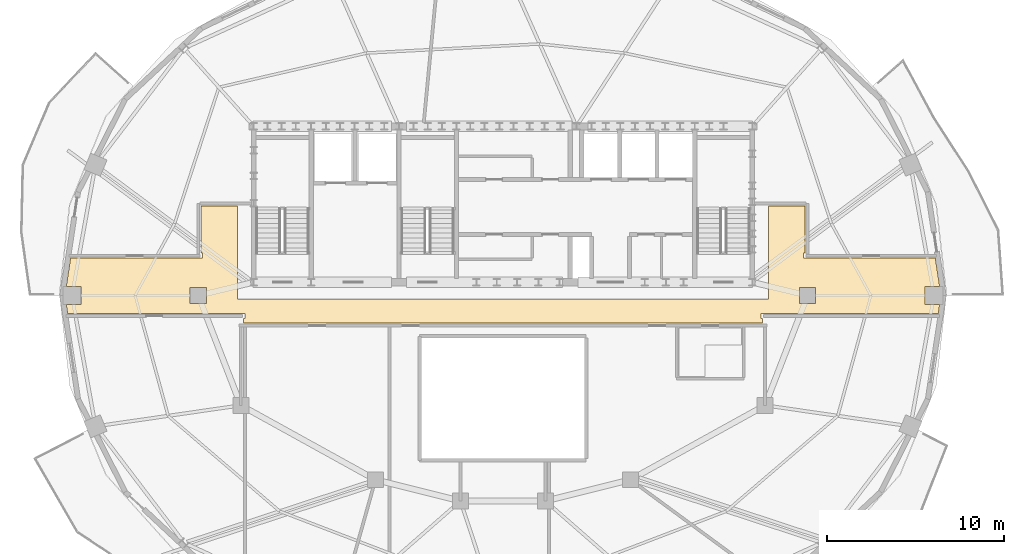
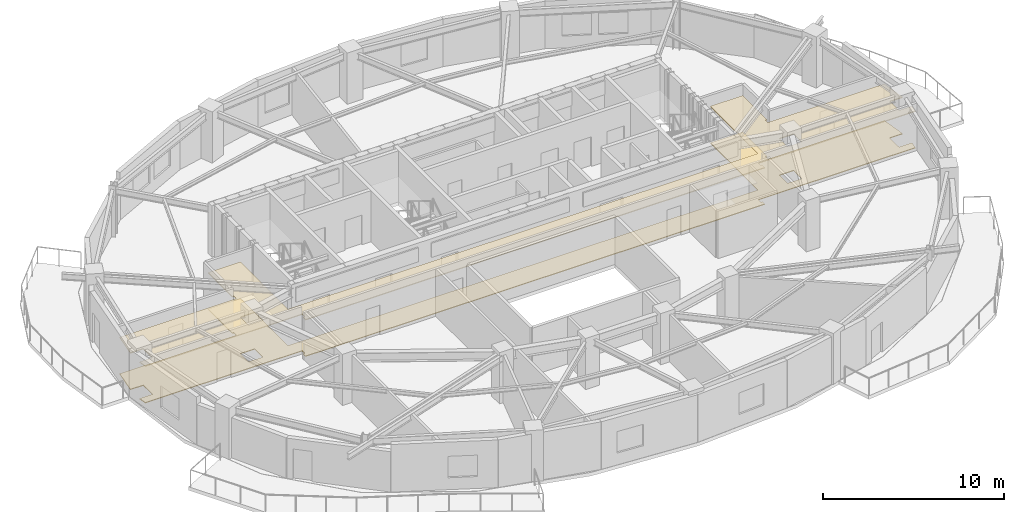
# One storey, part 8 of 10: 2 coverings.
"""IFC4 building model written with IfcOpenShell, lengths in metres."""

from ifc_helpers import new_model, si_unit, direction, frame, origin, place, context, subcontext, project, spatial, polyline, outline, extrude, material, layer, layer_set, type_object, element, save


model = new_model("IFC4")

# Units and contexts
model_context = context("Model", 3, precision=1e-05, world=origin(), true_north=direction((0.0, 1.0)))
body_context = subcontext(model_context, "Body", "Model", "MODEL_VIEW")
ifc_project = project(units=[si_unit("LENGTHUNIT", "METRE"), si_unit("AREAUNIT", "SQUARE_METRE"), si_unit("VOLUMEUNIT", "CUBIC_METRE"), si_unit("PLANEANGLEUNIT", "RADIAN"), si_unit("MASSUNIT", "GRAM", prefix="KILO")], contexts=[model_context])

# Site, building, storey
site_placement = place(None, origin())
site = spatial("IfcSite", under=ifc_project, at=site_placement, CompositionType="ELEMENT")
building_placement = place(site_placement, origin())
building = spatial("IfcBuilding", under=site, at=building_placement, Name="Haldorwick Loom Tower", CompositionType="ELEMENT")
storey_placement = place(building_placement, frame((0.0, 0.0, 262.64990234375)))
storey = spatial("IfcBuildingStorey", under=building, at=storey_placement, Name="L71", CompositionType="ELEMENT", Elevation=262.64990234375)

# Coverings
ifc_material_1 = material(Name="Mineral Fibre Acoustic Ceiling Tile")
ifc_layer_1 = layer(ifc_material_1, 0.054931640625, Name="Mineral Fibre Acoustic Ceiling Tile")
ifc_layer_set_1 = layer_set([ifc_layer_1], Name="Mineral Fibre Acoustic Ceiling Tile")
covering_type_1 = type_object("IfcCoveringType", Name="ARC-COV-CEIL2", PredefinedType="CEILING", material=ifc_layer_set_1)
covering_1_placement = place(storey_placement, frame((0.0, 0.0, 2.458984375)))
element("IfcCovering", 1, at=covering_1_placement, inside=storey, type_object=covering_type_1, Name="L71 Acoustic Suspended Ceiling 1", PredefinedType="CEILING", context=body_context, shape_type="SweptSolid", body=[
    extrude(outline(polyline([(11.423583984375, 24.989990234375), (21.419921875, 24.989990234375), (21.422119140625, 24.989990234375), (21.423828125, 24.989501953125), (21.42578125, 24.989013671875), (21.427734375, 24.988525390625), (21.429443359375, 24.987548828125), (21.43115234375, 24.986572265625), (21.4326171875, 24.985595703125), (21.43408203125, 24.984130859375), (21.435546875, 24.982666015625), (21.4365234375, 24.981201171875), (21.4375, 24.9794921875), (21.4384765625, 24.977783203125), (21.439208984375, 24.975830078125), (21.439697265625, 24.973876953125), (21.43994140625, 24.971923828125), (21.43994140625, 24.969970703125), (21.43994140625, 24.72998046875), (21.43994140625, 24.72802734375), (21.439697265625, 24.72607421875), (21.439208984375, 24.72412109375), (21.4384765625, 24.722412109375), (21.4375, 24.720703125), (21.4365234375, 24.718994140625), (21.435546875, 24.71728515625), (21.43408203125, 24.7158203125), (21.4326171875, 24.714599609375), (21.43115234375, 24.71337890625), (21.429443359375, 24.71240234375), (21.427734375, 24.71142578125), (21.42578125, 24.7109375), (21.423828125, 24.71044921875), (21.422119140625, 24.710205078125), (21.419921875, 24.7099609375), (21.340087890625, 24.7099609375), (21.340087890625, 24.43994140625), (50.659912109375, 24.43994140625), (50.659912109375, 24.7099609375), (50.580078125, 24.7099609375), (50.577880859375, 24.710205078125), (50.576171875, 24.71044921875), (50.57421875, 24.7109375), (50.572265625, 24.71142578125), (50.570556640625, 24.71240234375), (50.56884765625, 24.71337890625), (50.5673828125, 24.714599609375), (50.56591796875, 24.7158203125), (50.564453125, 24.71728515625), (50.5634765625, 24.718994140625), (50.5625, 24.720703125), (50.5615234375, 24.722412109375), (50.560791015625, 24.72412109375), (50.560302734375, 24.72607421875), (50.56005859375, 24.72802734375), (50.56005859375, 24.72998046875), (50.56005859375, 24.969970703125), (50.56005859375, 24.971923828125), (50.560302734375, 24.973876953125), (50.560791015625, 24.975830078125), (50.5615234375, 24.977783203125), (50.5625, 24.9794921875), (50.5634765625, 24.981201171875), (50.564453125, 24.982666015625), (50.56591796875, 24.984130859375), (50.5673828125, 24.985595703125), (50.56884765625, 24.986572265625), (50.570556640625, 24.987548828125), (50.572265625, 24.988525390625), (50.57421875, 24.989013671875), (50.576171875, 24.989501953125), (50.577880859375, 24.989990234375), (50.580078125, 24.989990234375), (60.576416015625, 24.989990234375), (60.65283203125, 25.491943359375), (59.828857421875, 25.491943359375), (59.828857421875, 26.508056640625), (60.65283203125, 26.508056640625), (60.408935546875, 28.110107421875), (52.97998046875, 28.110107421875), (52.97802734375, 28.110107421875), (52.97607421875, 28.1103515625), (52.97412109375, 28.11083984375), (52.972412109375, 28.111572265625), (52.970703125, 28.1123046875), (52.968994140625, 28.11328125), (52.96728515625, 28.114501953125), (52.9658203125, 28.115966796875), (52.964599609375, 28.1171875), (52.96337890625, 28.118896484375), (52.96240234375, 28.12060546875), (52.96142578125, 28.122314453125), (52.9609375, 28.124267578125), (52.96044921875, 28.126220703125), (52.960205078125, 28.1279296875), (52.9599609375, 28.1298828125), (52.9599609375, 28.3701171875), (52.960205078125, 28.3720703125), (52.96044921875, 28.373779296875), (52.9609375, 28.375732421875), (52.96142578125, 28.377685546875), (52.96240234375, 28.37939453125), (52.96337890625, 28.381103515625), (52.964599609375, 28.3828125), (52.9658203125, 28.384033203125), (52.96728515625, 28.385498046875), (52.968994140625, 28.38671875), (52.970703125, 28.3876953125), (52.972412109375, 28.388427734375), (52.97412109375, 28.38916015625), (52.97607421875, 28.3896484375), (52.97802734375, 28.389892578125), (52.97998046875, 28.389892578125), (53.06005859375, 28.389892578125), (53.06005859375, 31.06005859375), (51.0, 31.06005859375), (51.0, 25.800048828125), (21.0, 25.800048828125), (21.0, 31.06005859375), (18.93994140625, 31.06005859375), (18.93994140625, 28.389892578125), (19.02001953125, 28.389892578125), (19.02197265625, 28.389892578125), (19.02392578125, 28.3896484375), (19.02587890625, 28.38916015625), (19.027587890625, 28.388427734375), (19.029296875, 28.3876953125), (19.031005859375, 28.38671875), (19.03271484375, 28.385498046875), (19.0341796875, 28.384033203125), (19.035400390625, 28.3828125), (19.03662109375, 28.381103515625), (19.03759765625, 28.37939453125), (19.03857421875, 28.377685546875), (19.0390625, 28.375732421875), (19.03955078125, 28.373779296875), (19.039794921875, 28.3720703125), (19.0400390625, 28.3701171875), (19.0400390625, 28.1298828125), (19.039794921875, 28.1279296875), (19.03955078125, 28.126220703125), (19.0390625, 28.124267578125), (19.03857421875, 28.122314453125), (19.03759765625, 28.12060546875), (19.03662109375, 28.118896484375), (19.035400390625, 28.1171875), (19.0341796875, 28.115966796875), (19.03271484375, 28.114501953125), (19.031005859375, 28.11328125), (19.029296875, 28.1123046875), (19.027587890625, 28.111572265625), (19.02587890625, 28.11083984375), (19.02392578125, 28.1103515625), (19.02197265625, 28.110107421875), (19.02001953125, 28.110107421875), (11.591064453125, 28.110107421875), (11.34716796875, 26.508056640625), (12.171142578125, 26.508056640625), (12.171142578125, 25.491943359375), (11.34716796875, 25.491943359375), (11.423583984375, 24.989990234375)]), holes=[polyline([(19.258056640625, 26.4580078125), (19.258056640625, 25.5419921875), (18.342041015625, 25.5419921875), (18.342041015625, 26.4580078125), (19.258056640625, 26.4580078125)]), polyline([(53.657958984375, 26.4580078125), (53.657958984375, 25.5419921875), (52.741943359375, 25.5419921875), (52.741943359375, 26.4580078125), (53.657958984375, 26.4580078125)])]), origin(), (0.0, 0.0, 1.0), 0.05517578125),
])
ifc_material_2 = material(Name="Polished Aggregate Terrazzo Finish")
ifc_layer_2 = layer(ifc_material_2, 0.044921875, Name="Polished Aggregate Terrazzo Finish")
ifc_layer_set_2 = layer_set([ifc_layer_2], Name="Polished Aggregate Terrazzo Finish")
covering_type_2 = type_object("IfcCoveringType", Name="ARC-COV-FLOOR2", PredefinedType="FLOORING", material=ifc_layer_set_2)
covering_2_placement = place(storey_placement, origin())
element("IfcCovering", 2, at=covering_2_placement, inside=storey, type_object=covering_type_2, Name="L71 Floor Finish 1", PredefinedType="FLOORING", context=body_context, shape_type="SweptSolid", body=[
    extrude(outline(polyline([(11.423583984375, 24.989990234375), (21.419921875, 24.989990234375), (21.422119140625, 24.989990234375), (21.423828125, 24.989501953125), (21.42578125, 24.989013671875), (21.427734375, 24.988525390625), (21.429443359375, 24.987548828125), (21.43115234375, 24.986572265625), (21.4326171875, 24.985595703125), (21.43408203125, 24.984130859375), (21.435546875, 24.982666015625), (21.4365234375, 24.981201171875), (21.4375, 24.9794921875), (21.4384765625, 24.977783203125), (21.439208984375, 24.975830078125), (21.439697265625, 24.973876953125), (21.43994140625, 24.971923828125), (21.43994140625, 24.969970703125), (21.43994140625, 24.72998046875), (21.43994140625, 24.72802734375), (21.439697265625, 24.72607421875), (21.439208984375, 24.72412109375), (21.4384765625, 24.722412109375), (21.4375, 24.720703125), (21.4365234375, 24.718994140625), (21.435546875, 24.71728515625), (21.43408203125, 24.7158203125), (21.4326171875, 24.714599609375), (21.43115234375, 24.71337890625), (21.429443359375, 24.71240234375), (21.427734375, 24.71142578125), (21.42578125, 24.7109375), (21.423828125, 24.71044921875), (21.422119140625, 24.710205078125), (21.419921875, 24.7099609375), (21.340087890625, 24.7099609375), (21.340087890625, 24.43994140625), (50.659912109375, 24.43994140625), (50.659912109375, 24.7099609375), (50.580078125, 24.7099609375), (50.577880859375, 24.710205078125), (50.576171875, 24.71044921875), (50.57421875, 24.7109375), (50.572265625, 24.71142578125), (50.570556640625, 24.71240234375), (50.56884765625, 24.71337890625), (50.5673828125, 24.714599609375), (50.56591796875, 24.7158203125), (50.564453125, 24.71728515625), (50.5634765625, 24.718994140625), (50.5625, 24.720703125), (50.5615234375, 24.722412109375), (50.560791015625, 24.72412109375), (50.560302734375, 24.72607421875), (50.56005859375, 24.72802734375), (50.56005859375, 24.72998046875), (50.56005859375, 24.969970703125), (50.56005859375, 24.971923828125), (50.560302734375, 24.973876953125), (50.560791015625, 24.975830078125), (50.5615234375, 24.977783203125), (50.5625, 24.9794921875), (50.5634765625, 24.981201171875), (50.564453125, 24.982666015625), (50.56591796875, 24.984130859375), (50.5673828125, 24.985595703125), (50.56884765625, 24.986572265625), (50.570556640625, 24.987548828125), (50.572265625, 24.988525390625), (50.57421875, 24.989013671875), (50.576171875, 24.989501953125), (50.577880859375, 24.989990234375), (50.580078125, 24.989990234375), (60.576416015625, 24.989990234375), (60.65283203125, 25.491943359375), (59.828857421875, 25.491943359375), (59.828857421875, 26.508056640625), (60.65283203125, 26.508056640625), (60.408935546875, 28.110107421875), (52.97998046875, 28.110107421875), (52.97802734375, 28.110107421875), (52.97607421875, 28.1103515625), (52.97412109375, 28.11083984375), (52.972412109375, 28.111572265625), (52.970703125, 28.1123046875), (52.968994140625, 28.11328125), (52.96728515625, 28.114501953125), (52.9658203125, 28.115966796875), (52.964599609375, 28.1171875), (52.96337890625, 28.118896484375), (52.96240234375, 28.12060546875), (52.96142578125, 28.122314453125), (52.9609375, 28.124267578125), (52.96044921875, 28.126220703125), (52.960205078125, 28.1279296875), (52.9599609375, 28.1298828125), (52.9599609375, 28.3701171875), (52.960205078125, 28.3720703125), (52.96044921875, 28.373779296875), (52.9609375, 28.375732421875), (52.96142578125, 28.377685546875), (52.96240234375, 28.37939453125), (52.96337890625, 28.381103515625), (52.964599609375, 28.3828125), (52.9658203125, 28.384033203125), (52.96728515625, 28.385498046875), (52.968994140625, 28.38671875), (52.970703125, 28.3876953125), (52.972412109375, 28.388427734375), (52.97412109375, 28.38916015625), (52.97607421875, 28.3896484375), (52.97802734375, 28.389892578125), (52.97998046875, 28.389892578125), (53.06005859375, 28.389892578125), (53.06005859375, 31.06005859375), (51.0, 31.06005859375), (51.0, 25.800048828125), (21.0, 25.800048828125), (21.0, 31.06005859375), (18.93994140625, 31.06005859375), (18.93994140625, 28.389892578125), (19.02001953125, 28.389892578125), (19.02197265625, 28.389892578125), (19.02392578125, 28.3896484375), (19.02587890625, 28.38916015625), (19.027587890625, 28.388427734375), (19.029296875, 28.3876953125), (19.031005859375, 28.38671875), (19.03271484375, 28.385498046875), (19.0341796875, 28.384033203125), (19.035400390625, 28.3828125), (19.03662109375, 28.381103515625), (19.03759765625, 28.37939453125), (19.03857421875, 28.377685546875), (19.0390625, 28.375732421875), (19.03955078125, 28.373779296875), (19.039794921875, 28.3720703125), (19.0400390625, 28.3701171875), (19.0400390625, 28.1298828125), (19.039794921875, 28.1279296875), (19.03955078125, 28.126220703125), (19.0390625, 28.124267578125), (19.03857421875, 28.122314453125), (19.03759765625, 28.12060546875), (19.03662109375, 28.118896484375), (19.035400390625, 28.1171875), (19.0341796875, 28.115966796875), (19.03271484375, 28.114501953125), (19.031005859375, 28.11328125), (19.029296875, 28.1123046875), (19.027587890625, 28.111572265625), (19.02587890625, 28.11083984375), (19.02392578125, 28.1103515625), (19.02197265625, 28.110107421875), (19.02001953125, 28.110107421875), (11.591064453125, 28.110107421875), (11.34716796875, 26.508056640625), (12.171142578125, 26.508056640625), (12.171142578125, 25.491943359375), (11.34716796875, 25.491943359375), (11.423583984375, 24.989990234375)]), holes=[polyline([(19.258056640625, 26.4580078125), (19.258056640625, 25.5419921875), (18.342041015625, 25.5419921875), (18.342041015625, 26.4580078125), (19.258056640625, 26.4580078125)]), polyline([(53.657958984375, 26.4580078125), (53.657958984375, 25.5419921875), (52.741943359375, 25.5419921875), (52.741943359375, 26.4580078125), (53.657958984375, 26.4580078125)])]), origin(), (0.0, 0.0, 1.0), 0.045166015625),
])

save(model, "model.ifc")
